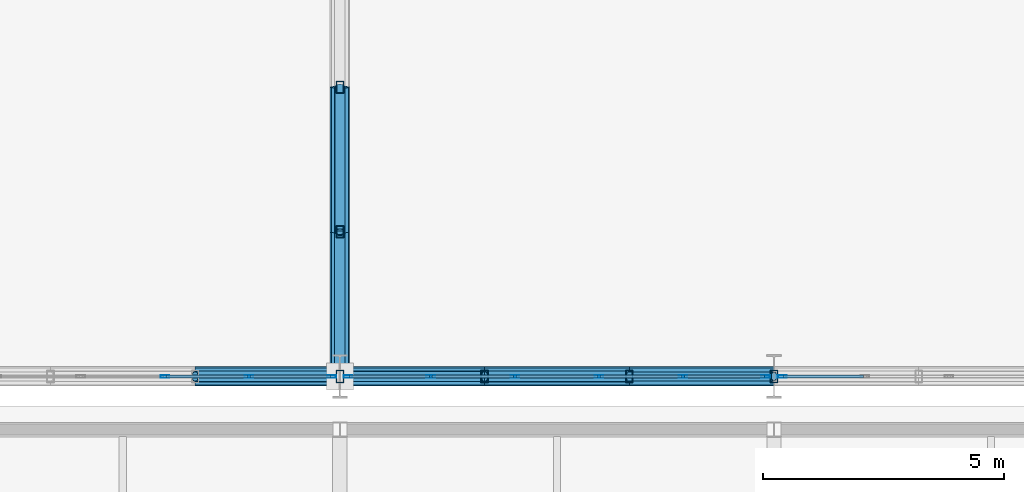
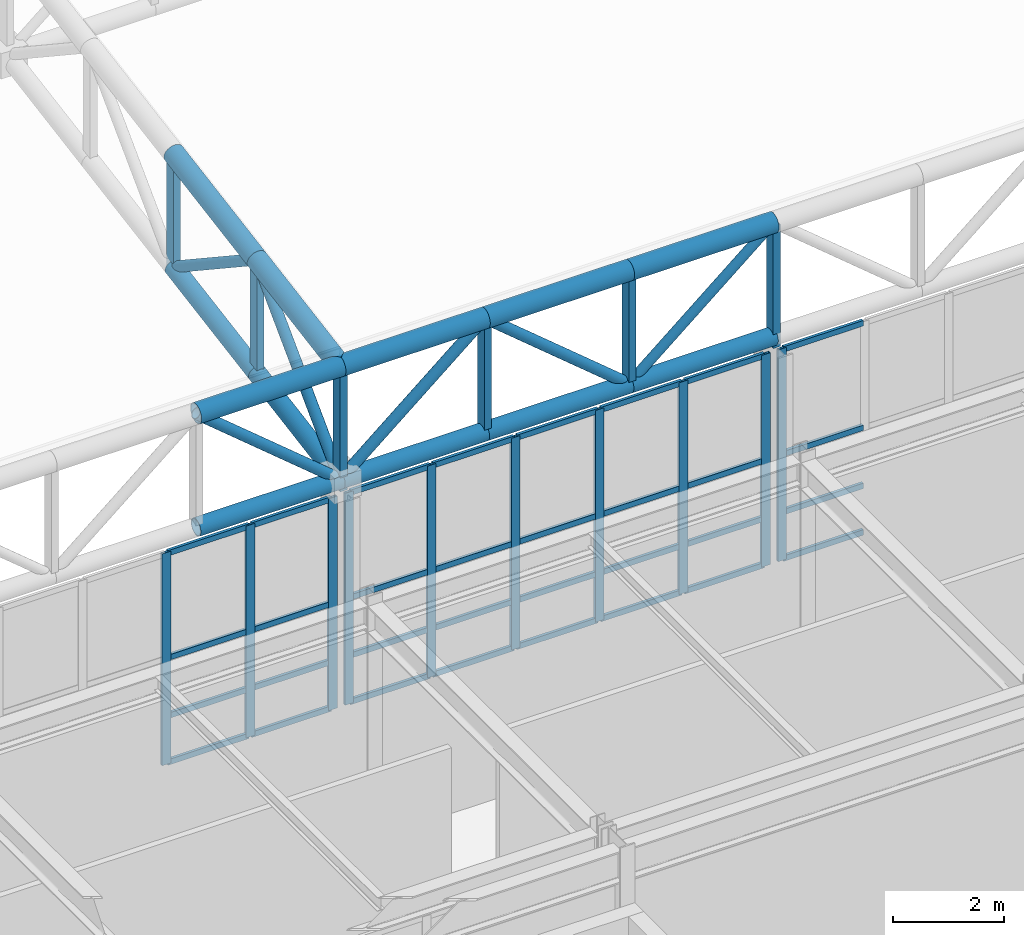
# One storey, part 42 of 239: 66 members, 3 elements without a shape of their own.
"""IFC4 building model written with IfcOpenShell, lengths in metres."""

from ifc_helpers import new_model, si_unit, direction, frame, origin, origin_2d, place, context, subcontext, project, spatial, hollow_rectangle, hollow_circle, extrude, material, material_profile, profile_set, type_object, element, aggregate, save


model = new_model("IFC4")

# Units and contexts
model_context = context("Model", 3, precision=1e-05, world=origin(), true_north=direction((0.0, 1.0)))
body_context = subcontext(model_context, "Body", "Model", "MODEL_VIEW")
ifc_project = project(units=[si_unit("LENGTHUNIT", "METRE"), si_unit("AREAUNIT", "SQUARE_METRE"), si_unit("VOLUMEUNIT", "CUBIC_METRE"), si_unit("PLANEANGLEUNIT", "RADIAN"), si_unit("MASSUNIT", "GRAM", prefix="KILO")], contexts=[model_context])

# Site, building, storey
site_placement = place(None, origin())
site = spatial("IfcSite", under=ifc_project, at=site_placement, CompositionType="ELEMENT")
building_placement = place(site_placement, origin())
building = spatial("IfcBuilding", under=site, at=building_placement, Name="Kaldris Quays Convention Centre", CompositionType="ELEMENT")
storey_placement = place(building_placement, frame((0.0, 0.0, 11.39990234375)))
storey = spatial("IfcBuildingStorey", under=building, at=storey_placement, Name="L02", CompositionType="ELEMENT", Elevation=11.39990234375)

# Curtain wall, members
ifc_material_1 = material(Name="Anodized aluminium AW-6060 and triple glazing", Category="aluminium")
curtain_wall_type = type_object("IfcCurtainWallType", Name="UNITISED CURTAIN WALL CW03", PredefinedType="NOTDEFINED", material=ifc_material_1)
curtain_wall_1_placement = place(storey_placement, origin())
curtain_wall_1 = element("IfcCurtainWall", 1, at=curtain_wall_1_placement, inside=storey, type_object=curtain_wall_type, Name="L02 Unitised Curtain Wall CW03 233", PredefinedType="NOTDEFINED")
ifc_material_2 = material(Name="Anodized aluminium AW-6060", Category="aluminium")
ifc_material_profile_1 = material_profile(ifc_material_2, hollow_rectangle(XDim=0.06005859375, YDim=0.179931640625, WallThickness=0.0048828125, at=origin_2d()), Name="RHS 180x60x5")
ifc_profile_set_1 = profile_set([ifc_material_profile_1], Name="Anodized aluminium AW-6060")
member_type_1 = type_object("IfcMemberType", Name="CURTAIN MULLION CWM2", PredefinedType="MULLION", material=ifc_profile_set_1)
member_1_placement = place(storey_placement, frame((52.3720703125, 56.0, 2.195068359375), z_axis=(0.0, 0.0, 1.0), x_axis=(0.0, 1.0, 0.0)))
member_1 = element("IfcMember", 2, at=member_1_placement, type_object=member_type_1, Name="CW03 mullion 4", PredefinedType="MULLION", context=body_context, shape_type="SweptSolid", body=[
    extrude(hollow_rectangle(XDim=0.06005859375, YDim=0.179931640625, WallThickness=0.0048828125, at=origin_2d()), origin(), (0.0, 0.0, 1.0), 4.655029296875),
])
member_2_placement = place(storey_placement, frame((54.115966796875, 56.0, 2.195068359375), z_axis=(0.0, 0.0, 1.0), x_axis=(0.0, 1.0, 0.0)))
member_2 = element("IfcMember", 3, at=member_2_placement, type_object=member_type_1, Name="CW03 mullion 5", PredefinedType="MULLION", context=body_context, shape_type="SweptSolid", body=[
    extrude(hollow_rectangle(XDim=0.06005859375, YDim=0.179931640625, WallThickness=0.0048828125, at=origin_2d()), origin(), (0.0, 0.0, 1.0), 4.655029296875),
])
member_3_placement = place(storey_placement, frame((55.830078125, 56.0, 2.195068359375), z_axis=(0.0, 0.0, 1.0), x_axis=(0.0, 1.0, 0.0)))
member_3 = element("IfcMember", 4, at=member_3_placement, type_object=member_type_1, Name="CW03 mullion 6", PredefinedType="MULLION", context=body_context, shape_type="SweptSolid", body=[
    extrude(hollow_rectangle(XDim=0.06005859375, YDim=0.179931640625, WallThickness=0.0048828125, at=origin_2d()), origin(), (0.0, 0.0, 1.0), 4.655029296875),
])

curtain_wall_2_placement = place(storey_placement, origin())
curtain_wall_2 = element("IfcCurtainWall", 5, at=curtain_wall_2_placement, inside=storey, type_object=curtain_wall_type, Name="L02 Unitised Curtain Wall CW03 235", PredefinedType="NOTDEFINED")
member_4_placement = place(storey_placement, frame((56.169921875, 56.0, 2.195068359375), z_axis=(0.0, 0.0, 1.0), x_axis=(0.0, 1.0, 0.0)))
member_4 = element("IfcMember", 6, at=member_4_placement, type_object=member_type_1, Name="CW03 mullion 1", PredefinedType="MULLION", context=body_context, shape_type="SweptSolid", body=[
    extrude(hollow_rectangle(XDim=0.06005859375, YDim=0.179931640625, WallThickness=0.0048828125, at=origin_2d()), origin(), (0.0, 0.0, 1.0), 4.655029296875),
])
member_5_placement = place(storey_placement, frame((57.884033203125, 56.0, 2.195068359375), z_axis=(0.0, 0.0, 1.0), x_axis=(0.0, 1.0, 0.0)))
member_5 = element("IfcMember", 7, at=member_5_placement, type_object=member_type_1, Name="CW03 mullion 2", PredefinedType="MULLION", context=body_context, shape_type="SweptSolid", body=[
    extrude(hollow_rectangle(XDim=0.06005859375, YDim=0.179931640625, WallThickness=0.0048828125, at=origin_2d()), origin(), (0.0, 0.0, 1.0), 4.655029296875),
])
member_6_placement = place(storey_placement, frame((59.6279296875, 56.0, 2.195068359375), z_axis=(0.0, 0.0, 1.0), x_axis=(0.0, 1.0, 0.0)))
member_6 = element("IfcMember", 8, at=member_6_placement, type_object=member_type_1, Name="CW03 mullion 3", PredefinedType="MULLION", context=body_context, shape_type="SweptSolid", body=[
    extrude(hollow_rectangle(XDim=0.06005859375, YDim=0.179931640625, WallThickness=0.0048828125, at=origin_2d()), origin(), (0.0, 0.0, 1.0), 4.655029296875),
])
member_7_placement = place(storey_placement, frame((61.3720703125, 56.0, 2.195068359375), z_axis=(0.0, 0.0, 1.0), x_axis=(0.0, 1.0, 0.0)))
member_7 = element("IfcMember", 9, at=member_7_placement, type_object=member_type_1, Name="CW03 mullion 4", PredefinedType="MULLION", context=body_context, shape_type="SweptSolid", body=[
    extrude(hollow_rectangle(XDim=0.06005859375, YDim=0.179931640625, WallThickness=0.0048828125, at=origin_2d()), origin(), (0.0, 0.0, 1.0), 4.655029296875),
])
member_8_placement = place(storey_placement, frame((63.115966796875, 56.0, 2.195068359375), z_axis=(0.0, 0.0, 1.0), x_axis=(0.0, 1.0, 0.0)))
member_8 = element("IfcMember", 10, at=member_8_placement, type_object=member_type_1, Name="CW03 mullion 5", PredefinedType="MULLION", context=body_context, shape_type="SweptSolid", body=[
    extrude(hollow_rectangle(XDim=0.06005859375, YDim=0.179931640625, WallThickness=0.0048828125, at=origin_2d()), origin(), (0.0, 0.0, 1.0), 4.655029296875),
])
member_9_placement = place(storey_placement, frame((64.830078125, 56.0, 2.195068359375), z_axis=(0.0, 0.0, 1.0), x_axis=(0.0, 1.0, 0.0)))
member_9 = element("IfcMember", 11, at=member_9_placement, type_object=member_type_1, Name="CW03 mullion 6", PredefinedType="MULLION", context=body_context, shape_type="SweptSolid", body=[
    extrude(hollow_rectangle(XDim=0.06005859375, YDim=0.179931640625, WallThickness=0.0048828125, at=origin_2d()), origin(), (0.0, 0.0, 1.0), 4.655029296875),
])

# Curtain wall, member
curtain_wall_3_placement = place(storey_placement, origin())
curtain_wall_3 = element("IfcCurtainWall", 12, at=curtain_wall_3_placement, inside=storey, type_object=curtain_wall_type, Name="L02 Unitised Curtain Wall CW03 237", PredefinedType="NOTDEFINED")
member_10_placement = place(storey_placement, frame((65.169921875, 56.0, 2.195068359375), z_axis=(0.0, 0.0, 1.0), x_axis=(0.0, 1.0, 0.0)))
member_10 = element("IfcMember", 13, at=member_10_placement, type_object=member_type_1, Name="CW03 mullion 1", PredefinedType="MULLION", context=body_context, shape_type="SweptSolid", body=[
    extrude(hollow_rectangle(XDim=0.06005859375, YDim=0.179931640625, WallThickness=0.0048828125, at=origin_2d()), origin(), (0.0, 0.0, 1.0), 4.655029296875),
])

# Member
ifc_material_profile_2 = material_profile(ifc_material_2, hollow_rectangle(XDim=0.06005859375, YDim=0.1201171875, WallThickness=0.00390625, at=origin_2d()), Name="RHS 120x60x4")
ifc_profile_set_2 = profile_set([ifc_material_profile_2], Name="Anodized aluminium AW-6060")
member_type_2 = type_object("IfcMemberType", Name="CURTAIN TRANSOM CWT1", PredefinedType="USERDEFINED", material=ifc_profile_set_2)
member_11_placement = place(storey_placement, frame((52.402099609375, 56.0, 2.22509765625), z_axis=(1.0, 0.0, 0.0), x_axis=(0.0, 1.0, 0.0)))
member_11 = element("IfcMember", 14, at=member_11_placement, type_object=member_type_2, Name="CW03 transom 4.1", ObjectType="TRANSOM", PredefinedType="USERDEFINED", context=body_context, shape_type="SweptSolid", body=[
    extrude(hollow_rectangle(XDim=0.06005859375, YDim=0.1201171875, WallThickness=0.00390625, at=origin_2d()), origin(), (0.0, 0.0, 1.0), 1.683837890625),
])

member_12_placement = place(storey_placement, frame((52.402099609375, 56.0, 3.2451171875), z_axis=(1.0, 0.0, 0.0), x_axis=(0.0, 1.0, 0.0)))
member_12 = element("IfcMember", 15, at=member_12_placement, type_object=member_type_2, Name="CW03 transom 4.2", ObjectType="TRANSOM", PredefinedType="USERDEFINED", context=body_context, shape_type="SweptSolid", body=[
    extrude(hollow_rectangle(XDim=0.06005859375, YDim=0.1201171875, WallThickness=0.00390625, at=origin_2d()), origin(), (0.0, 0.0, 1.0), 1.683837890625),
])

member_13_placement = place(storey_placement, frame((52.402099609375, 56.0, 4.522216796875), z_axis=(1.0, 0.0, 0.0), x_axis=(0.0, 1.0, 0.0)))
member_13 = element("IfcMember", 16, at=member_13_placement, type_object=member_type_2, Name="CW03 transom 4.3", ObjectType="TRANSOM", PredefinedType="USERDEFINED", context=body_context, shape_type="SweptSolid", body=[
    extrude(hollow_rectangle(XDim=0.06005859375, YDim=0.1201171875, WallThickness=0.00390625, at=origin_2d()), origin(), (0.0, 0.0, 1.0), 1.683837890625),
])

member_14_placement = place(storey_placement, frame((52.402099609375, 56.0, 6.820068359375), z_axis=(1.0, 0.0, 0.0), x_axis=(0.0, 1.0, 0.0)))
member_14 = element("IfcMember", 17, at=member_14_placement, type_object=member_type_2, Name="CW03 transom 4.4", ObjectType="TRANSOM", PredefinedType="USERDEFINED", context=body_context, shape_type="SweptSolid", body=[
    extrude(hollow_rectangle(XDim=0.06005859375, YDim=0.1201171875, WallThickness=0.00390625, at=origin_2d()), origin(), (0.0, 0.0, 1.0), 1.683837890625),
])

member_15_placement = place(storey_placement, frame((54.14599609375, 56.0, 2.22509765625), z_axis=(1.0, 0.0, 0.0), x_axis=(0.0, 1.0, 0.0)))
member_15 = element("IfcMember", 18, at=member_15_placement, type_object=member_type_2, Name="CW03 transom 5.1", ObjectType="TRANSOM", PredefinedType="USERDEFINED", context=body_context, shape_type="SweptSolid", body=[
    extrude(hollow_rectangle(XDim=0.06005859375, YDim=0.1201171875, WallThickness=0.00390625, at=origin_2d()), origin(), (0.0, 0.0, 1.0), 1.654052734375),
])

member_16_placement = place(storey_placement, frame((54.14599609375, 56.0, 3.2451171875), z_axis=(1.0, 0.0, 0.0), x_axis=(0.0, 1.0, 0.0)))
member_16 = element("IfcMember", 19, at=member_16_placement, type_object=member_type_2, Name="CW03 transom 5.2", ObjectType="TRANSOM", PredefinedType="USERDEFINED", context=body_context, shape_type="SweptSolid", body=[
    extrude(hollow_rectangle(XDim=0.06005859375, YDim=0.1201171875, WallThickness=0.00390625, at=origin_2d()), origin(), (0.0, 0.0, 1.0), 1.654052734375),
])

member_17_placement = place(storey_placement, frame((54.14599609375, 56.0, 4.522216796875), z_axis=(1.0, 0.0, 0.0), x_axis=(0.0, 1.0, 0.0)))
member_17 = element("IfcMember", 20, at=member_17_placement, type_object=member_type_2, Name="CW03 transom 5.3", ObjectType="TRANSOM", PredefinedType="USERDEFINED", context=body_context, shape_type="SweptSolid", body=[
    extrude(hollow_rectangle(XDim=0.06005859375, YDim=0.1201171875, WallThickness=0.00390625, at=origin_2d()), origin(), (0.0, 0.0, 1.0), 1.654052734375),
])

member_18_placement = place(storey_placement, frame((54.14599609375, 56.0, 6.820068359375), z_axis=(1.0, 0.0, 0.0), x_axis=(0.0, 1.0, 0.0)))
member_18 = element("IfcMember", 21, at=member_18_placement, type_object=member_type_2, Name="CW03 transom 5.4", ObjectType="TRANSOM", PredefinedType="USERDEFINED", context=body_context, shape_type="SweptSolid", body=[
    extrude(hollow_rectangle(XDim=0.06005859375, YDim=0.1201171875, WallThickness=0.00390625, at=origin_2d()), origin(), (0.0, 0.0, 1.0), 1.654052734375),
])

aggregate(curtain_wall_1, [member_1, member_2, member_3, member_11, member_12, member_13, member_14, member_15, member_16, member_17, member_18])

member_19_placement = place(storey_placement, frame((56.199951171875, 56.0, 2.22509765625), z_axis=(1.0, 0.0, 0.0), x_axis=(0.0, 1.0, 0.0)))
member_19 = element("IfcMember", 22, at=member_19_placement, type_object=member_type_2, Name="CW03 transom 1.1", ObjectType="TRANSOM", PredefinedType="USERDEFINED", context=body_context, shape_type="SweptSolid", body=[
    extrude(hollow_rectangle(XDim=0.06005859375, YDim=0.1201171875, WallThickness=0.00390625, at=origin_2d()), origin(), (0.0, 0.0, 1.0), 1.654052734375),
])

member_20_placement = place(storey_placement, frame((56.199951171875, 56.0, 3.2451171875), z_axis=(1.0, 0.0, 0.0), x_axis=(0.0, 1.0, 0.0)))
member_20 = element("IfcMember", 23, at=member_20_placement, type_object=member_type_2, Name="CW03 transom 1.2", ObjectType="TRANSOM", PredefinedType="USERDEFINED", context=body_context, shape_type="SweptSolid", body=[
    extrude(hollow_rectangle(XDim=0.06005859375, YDim=0.1201171875, WallThickness=0.00390625, at=origin_2d()), origin(), (0.0, 0.0, 1.0), 1.654052734375),
])

member_21_placement = place(storey_placement, frame((56.199951171875, 56.0, 4.522216796875), z_axis=(1.0, 0.0, 0.0), x_axis=(0.0, 1.0, 0.0)))
member_21 = element("IfcMember", 24, at=member_21_placement, type_object=member_type_2, Name="CW03 transom 1.3", ObjectType="TRANSOM", PredefinedType="USERDEFINED", context=body_context, shape_type="SweptSolid", body=[
    extrude(hollow_rectangle(XDim=0.06005859375, YDim=0.1201171875, WallThickness=0.00390625, at=origin_2d()), origin(), (0.0, 0.0, 1.0), 1.654052734375),
])

member_22_placement = place(storey_placement, frame((56.199951171875, 56.0, 6.820068359375), z_axis=(1.0, 0.0, 0.0), x_axis=(0.0, 1.0, 0.0)))
member_22 = element("IfcMember", 25, at=member_22_placement, type_object=member_type_2, Name="CW03 transom 1.4", ObjectType="TRANSOM", PredefinedType="USERDEFINED", context=body_context, shape_type="SweptSolid", body=[
    extrude(hollow_rectangle(XDim=0.06005859375, YDim=0.1201171875, WallThickness=0.00390625, at=origin_2d()), origin(), (0.0, 0.0, 1.0), 1.654052734375),
])

member_23_placement = place(storey_placement, frame((57.9140625, 56.0, 2.22509765625), z_axis=(1.0, 0.0, 0.0), x_axis=(0.0, 1.0, 0.0)))
member_23 = element("IfcMember", 26, at=member_23_placement, type_object=member_type_2, Name="CW03 transom 2.1", ObjectType="TRANSOM", PredefinedType="USERDEFINED", context=body_context, shape_type="SweptSolid", body=[
    extrude(hollow_rectangle(XDim=0.06005859375, YDim=0.1201171875, WallThickness=0.00390625, at=origin_2d()), origin(), (0.0, 0.0, 1.0), 1.683837890625),
])

member_24_placement = place(storey_placement, frame((57.9140625, 56.0, 3.2451171875), z_axis=(1.0, 0.0, 0.0), x_axis=(0.0, 1.0, 0.0)))
member_24 = element("IfcMember", 27, at=member_24_placement, type_object=member_type_2, Name="CW03 transom 2.2", ObjectType="TRANSOM", PredefinedType="USERDEFINED", context=body_context, shape_type="SweptSolid", body=[
    extrude(hollow_rectangle(XDim=0.06005859375, YDim=0.1201171875, WallThickness=0.00390625, at=origin_2d()), origin(), (0.0, 0.0, 1.0), 1.683837890625),
])

member_25_placement = place(storey_placement, frame((57.9140625, 56.0, 4.522216796875), z_axis=(1.0, 0.0, 0.0), x_axis=(0.0, 1.0, 0.0)))
member_25 = element("IfcMember", 28, at=member_25_placement, type_object=member_type_2, Name="CW03 transom 2.3", ObjectType="TRANSOM", PredefinedType="USERDEFINED", context=body_context, shape_type="SweptSolid", body=[
    extrude(hollow_rectangle(XDim=0.06005859375, YDim=0.1201171875, WallThickness=0.00390625, at=origin_2d()), origin(), (0.0, 0.0, 1.0), 1.683837890625),
])

member_26_placement = place(storey_placement, frame((57.9140625, 56.0, 6.820068359375), z_axis=(1.0, 0.0, 0.0), x_axis=(0.0, 1.0, 0.0)))
member_26 = element("IfcMember", 29, at=member_26_placement, type_object=member_type_2, Name="CW03 transom 2.4", ObjectType="TRANSOM", PredefinedType="USERDEFINED", context=body_context, shape_type="SweptSolid", body=[
    extrude(hollow_rectangle(XDim=0.06005859375, YDim=0.1201171875, WallThickness=0.00390625, at=origin_2d()), origin(), (0.0, 0.0, 1.0), 1.683837890625),
])

member_27_placement = place(storey_placement, frame((59.657958984375, 56.0, 2.22509765625), z_axis=(1.0, 0.0, 0.0), x_axis=(0.0, 1.0, 0.0)))
member_27 = element("IfcMember", 30, at=member_27_placement, type_object=member_type_2, Name="CW03 transom 3.1", ObjectType="TRANSOM", PredefinedType="USERDEFINED", context=body_context, shape_type="SweptSolid", body=[
    extrude(hollow_rectangle(XDim=0.06005859375, YDim=0.1201171875, WallThickness=0.00390625, at=origin_2d()), origin(), (0.0, 0.0, 1.0), 1.68408203125),
])

member_28_placement = place(storey_placement, frame((59.657958984375, 56.0, 3.2451171875), z_axis=(1.0, 0.0, 0.0), x_axis=(0.0, 1.0, 0.0)))
member_28 = element("IfcMember", 31, at=member_28_placement, type_object=member_type_2, Name="CW03 transom 3.2", ObjectType="TRANSOM", PredefinedType="USERDEFINED", context=body_context, shape_type="SweptSolid", body=[
    extrude(hollow_rectangle(XDim=0.06005859375, YDim=0.1201171875, WallThickness=0.00390625, at=origin_2d()), origin(), (0.0, 0.0, 1.0), 1.68408203125),
])

member_29_placement = place(storey_placement, frame((59.657958984375, 56.0, 4.522216796875), z_axis=(1.0, 0.0, 0.0), x_axis=(0.0, 1.0, 0.0)))
member_29 = element("IfcMember", 32, at=member_29_placement, type_object=member_type_2, Name="CW03 transom 3.3", ObjectType="TRANSOM", PredefinedType="USERDEFINED", context=body_context, shape_type="SweptSolid", body=[
    extrude(hollow_rectangle(XDim=0.06005859375, YDim=0.1201171875, WallThickness=0.00390625, at=origin_2d()), origin(), (0.0, 0.0, 1.0), 1.68408203125),
])

member_30_placement = place(storey_placement, frame((59.657958984375, 56.0, 6.820068359375), z_axis=(1.0, 0.0, 0.0), x_axis=(0.0, 1.0, 0.0)))
member_30 = element("IfcMember", 33, at=member_30_placement, type_object=member_type_2, Name="CW03 transom 3.4", ObjectType="TRANSOM", PredefinedType="USERDEFINED", context=body_context, shape_type="SweptSolid", body=[
    extrude(hollow_rectangle(XDim=0.06005859375, YDim=0.1201171875, WallThickness=0.00390625, at=origin_2d()), origin(), (0.0, 0.0, 1.0), 1.68408203125),
])

member_31_placement = place(storey_placement, frame((61.402099609375, 56.0, 2.22509765625), z_axis=(1.0, 0.0, 0.0), x_axis=(0.0, 1.0, 0.0)))
member_31 = element("IfcMember", 34, at=member_31_placement, type_object=member_type_2, Name="CW03 transom 4.1", ObjectType="TRANSOM", PredefinedType="USERDEFINED", context=body_context, shape_type="SweptSolid", body=[
    extrude(hollow_rectangle(XDim=0.06005859375, YDim=0.1201171875, WallThickness=0.00390625, at=origin_2d()), origin(), (0.0, 0.0, 1.0), 1.683837890625),
])

member_32_placement = place(storey_placement, frame((61.402099609375, 56.0, 3.2451171875), z_axis=(1.0, 0.0, 0.0), x_axis=(0.0, 1.0, 0.0)))
member_32 = element("IfcMember", 35, at=member_32_placement, type_object=member_type_2, Name="CW03 transom 4.2", ObjectType="TRANSOM", PredefinedType="USERDEFINED", context=body_context, shape_type="SweptSolid", body=[
    extrude(hollow_rectangle(XDim=0.06005859375, YDim=0.1201171875, WallThickness=0.00390625, at=origin_2d()), origin(), (0.0, 0.0, 1.0), 1.683837890625),
])

member_33_placement = place(storey_placement, frame((61.402099609375, 56.0, 4.522216796875), z_axis=(1.0, 0.0, 0.0), x_axis=(0.0, 1.0, 0.0)))
member_33 = element("IfcMember", 36, at=member_33_placement, type_object=member_type_2, Name="CW03 transom 4.3", ObjectType="TRANSOM", PredefinedType="USERDEFINED", context=body_context, shape_type="SweptSolid", body=[
    extrude(hollow_rectangle(XDim=0.06005859375, YDim=0.1201171875, WallThickness=0.00390625, at=origin_2d()), origin(), (0.0, 0.0, 1.0), 1.683837890625),
])

member_34_placement = place(storey_placement, frame((61.402099609375, 56.0, 6.820068359375), z_axis=(1.0, 0.0, 0.0), x_axis=(0.0, 1.0, 0.0)))
member_34 = element("IfcMember", 37, at=member_34_placement, type_object=member_type_2, Name="CW03 transom 4.4", ObjectType="TRANSOM", PredefinedType="USERDEFINED", context=body_context, shape_type="SweptSolid", body=[
    extrude(hollow_rectangle(XDim=0.06005859375, YDim=0.1201171875, WallThickness=0.00390625, at=origin_2d()), origin(), (0.0, 0.0, 1.0), 1.683837890625),
])

member_35_placement = place(storey_placement, frame((63.14599609375, 56.0, 2.22509765625), z_axis=(1.0, 0.0, 0.0), x_axis=(0.0, 1.0, 0.0)))
member_35 = element("IfcMember", 38, at=member_35_placement, type_object=member_type_2, Name="CW03 transom 5.1", ObjectType="TRANSOM", PredefinedType="USERDEFINED", context=body_context, shape_type="SweptSolid", body=[
    extrude(hollow_rectangle(XDim=0.06005859375, YDim=0.1201171875, WallThickness=0.00390625, at=origin_2d()), origin(), (0.0, 0.0, 1.0), 1.654052734375),
])

member_36_placement = place(storey_placement, frame((63.14599609375, 56.0, 3.2451171875), z_axis=(1.0, 0.0, 0.0), x_axis=(0.0, 1.0, 0.0)))
member_36 = element("IfcMember", 39, at=member_36_placement, type_object=member_type_2, Name="CW03 transom 5.2", ObjectType="TRANSOM", PredefinedType="USERDEFINED", context=body_context, shape_type="SweptSolid", body=[
    extrude(hollow_rectangle(XDim=0.06005859375, YDim=0.1201171875, WallThickness=0.00390625, at=origin_2d()), origin(), (0.0, 0.0, 1.0), 1.654052734375),
])

member_37_placement = place(storey_placement, frame((63.14599609375, 56.0, 4.522216796875), z_axis=(1.0, 0.0, 0.0), x_axis=(0.0, 1.0, 0.0)))
member_37 = element("IfcMember", 40, at=member_37_placement, type_object=member_type_2, Name="CW03 transom 5.3", ObjectType="TRANSOM", PredefinedType="USERDEFINED", context=body_context, shape_type="SweptSolid", body=[
    extrude(hollow_rectangle(XDim=0.06005859375, YDim=0.1201171875, WallThickness=0.00390625, at=origin_2d()), origin(), (0.0, 0.0, 1.0), 1.654052734375),
])

member_38_placement = place(storey_placement, frame((63.14599609375, 56.0, 6.820068359375), z_axis=(1.0, 0.0, 0.0), x_axis=(0.0, 1.0, 0.0)))
member_38 = element("IfcMember", 41, at=member_38_placement, type_object=member_type_2, Name="CW03 transom 5.4", ObjectType="TRANSOM", PredefinedType="USERDEFINED", context=body_context, shape_type="SweptSolid", body=[
    extrude(hollow_rectangle(XDim=0.06005859375, YDim=0.1201171875, WallThickness=0.00390625, at=origin_2d()), origin(), (0.0, 0.0, 1.0), 1.654052734375),
])

aggregate(curtain_wall_2, [member_4, member_5, member_6, member_7, member_8, member_9, member_19, member_20, member_21, member_22, member_23, member_24, member_25, member_26, member_27, member_28, member_29, member_30, member_31, member_32, member_33, member_34, member_35, member_36, member_37, member_38])

member_39_placement = place(storey_placement, frame((65.199951171875, 56.0, 2.22509765625), z_axis=(1.0, 0.0, 0.0), x_axis=(0.0, 1.0, 0.0)))
member_39 = element("IfcMember", 42, at=member_39_placement, type_object=member_type_2, Name="CW03 transom 1.1", ObjectType="TRANSOM", PredefinedType="USERDEFINED", context=body_context, shape_type="SweptSolid", body=[
    extrude(hollow_rectangle(XDim=0.06005859375, YDim=0.1201171875, WallThickness=0.00390625, at=origin_2d()), origin(), (0.0, 0.0, 1.0), 1.654052734375),
])

member_40_placement = place(storey_placement, frame((65.199951171875, 56.0, 3.2451171875), z_axis=(1.0, 0.0, 0.0), x_axis=(0.0, 1.0, 0.0)))
member_40 = element("IfcMember", 43, at=member_40_placement, type_object=member_type_2, Name="CW03 transom 1.2", ObjectType="TRANSOM", PredefinedType="USERDEFINED", context=body_context, shape_type="SweptSolid", body=[
    extrude(hollow_rectangle(XDim=0.06005859375, YDim=0.1201171875, WallThickness=0.00390625, at=origin_2d()), origin(), (0.0, 0.0, 1.0), 1.654052734375),
])

member_41_placement = place(storey_placement, frame((65.199951171875, 56.0, 4.522216796875), z_axis=(1.0, 0.0, 0.0), x_axis=(0.0, 1.0, 0.0)))
member_41 = element("IfcMember", 44, at=member_41_placement, type_object=member_type_2, Name="CW03 transom 1.3", ObjectType="TRANSOM", PredefinedType="USERDEFINED", context=body_context, shape_type="SweptSolid", body=[
    extrude(hollow_rectangle(XDim=0.06005859375, YDim=0.1201171875, WallThickness=0.00390625, at=origin_2d()), origin(), (0.0, 0.0, 1.0), 1.654052734375),
])

member_42_placement = place(storey_placement, frame((65.199951171875, 56.0, 6.820068359375), z_axis=(1.0, 0.0, 0.0), x_axis=(0.0, 1.0, 0.0)))
member_42 = element("IfcMember", 45, at=member_42_placement, type_object=member_type_2, Name="CW03 transom 1.4", ObjectType="TRANSOM", PredefinedType="USERDEFINED", context=body_context, shape_type="SweptSolid", body=[
    extrude(hollow_rectangle(XDim=0.06005859375, YDim=0.1201171875, WallThickness=0.00390625, at=origin_2d()), origin(), (0.0, 0.0, 1.0), 1.654052734375),
])

aggregate(curtain_wall_3, [member_10, member_39, member_40, member_41, member_42])

# Members
ifc_material_3 = material(Name="Steel S355J2H", Category="steel")
ifc_material_profile_3 = material_profile(ifc_material_3, hollow_circle(Radius=0.203125, WallThickness=0.01611328125, at=origin_2d()), Name="CHS 406.4x16")
ifc_profile_set_3 = profile_set([ifc_material_profile_3], Name="Steel S355J2H")
member_type_3 = type_object("IfcMemberType", Name="STRUCTURAL MEMBER SC01", PredefinedType="CHORD", material=ifc_profile_set_3)
for number, where, z_axis, x_axis, name in (
    (46, (53.0, 56.0, 9.671875), (1.0, 0.0, 0.0), (0.0, 1.0, 0.0), "SF-V1 Top Chord X 12"),
    (47, (56.0, 56.0, 9.671875), (1.0, 0.0, 0.0), (0.0, 1.0, 0.0), "SF-V1 Top Chord X 13"),
    (48, (59.0, 56.0, 9.671875), (1.0, 0.0, 0.0), (0.0, 1.0, 0.0), "SF-V1 Top Chord X 14"),
    (49, (62.0, 56.0, 9.671875), (1.0, 0.0, 0.0), (0.0, 1.0, 0.0), "SF-V1 Top Chord X 15"),
):
    element("IfcMember", number, at=place(storey_placement, frame(where, z_axis=z_axis, x_axis=x_axis)), inside=storey, type_object=member_type_3, Name=name, PredefinedType="CHORD", context=body_context, shape_type="SweptSolid", body=[
        extrude(hollow_circle(Radius=0.203125, WallThickness=0.01611328125, at=origin_2d()), origin(), (0.0, 0.0, 1.0), 3.0),
    ])
for number, where, z_axis, x_axis, name in (
    (50, (56.0, 56.0, 9.671875), (0.0, 0.985615766076, 0.169001661712), (-1.0, 0.0, 0.0), "SF-V1 Top Chord Y 393"),
    (51, (56.0, 59.0, 10.186279296875), (0.0, 0.98562912375, 0.168923741424), (-1.0, 0.0, 0.0), "SF-V1 Top Chord Y 394"),
):
    element("IfcMember", number, at=place(storey_placement, frame(where, z_axis=z_axis, x_axis=x_axis)), inside=storey, type_object=member_type_3, Name=name, PredefinedType="CHORD", context=body_context, shape_type="SweptSolid", body=[
        extrude(hollow_circle(Radius=0.203125, WallThickness=0.01611328125, at=origin_2d()), origin(), (0.0, 0.0, 1.0), 3.043701171875),
    ])
ifc_material_profile_4 = material_profile(ifc_material_3, hollow_circle(Radius=0.177734375, WallThickness=0.01611328125, at=origin_2d()), Name="CHS 355.6x16")
ifc_profile_set_4 = profile_set([ifc_material_profile_4], Name="Steel S355J2H")
member_type_4 = type_object("IfcMemberType", Name="STRUCTURAL MEMBER SC02", PredefinedType="CHORD", material=ifc_profile_set_4)
for number, where, z_axis, x_axis, name in (
    (52, (53.0, 56.0, 7.171875), (1.0, 0.0, 0.0), (0.0, 1.0, 0.0), "SF-V1 Bottom Chord X 12"),
    (53, (56.0, 56.0, 7.171875), (1.0, 0.0, 0.0), (0.0, 1.0, 0.0), "SF-V1 Bottom Chord X 13"),
    (54, (59.0, 56.0, 7.171875), (1.0, 0.0, 0.0), (0.0, 1.0, 0.0), "SF-V1 Bottom Chord X 14"),
    (55, (62.0, 56.0, 7.171875), (1.0, 0.0, 0.0), (0.0, 1.0, 0.0), "SF-V1 Bottom Chord X 15"),
):
    element("IfcMember", number, at=place(storey_placement, frame(where, z_axis=z_axis, x_axis=x_axis)), inside=storey, type_object=member_type_4, Name=name, PredefinedType="CHORD", context=body_context, shape_type="SweptSolid", body=[
        extrude(hollow_circle(Radius=0.177734375, WallThickness=0.01611328125, at=origin_2d()), origin(), (0.0, 0.0, 1.0), 3.0),
    ])
for number, where, z_axis, x_axis, name in (
    (56, (56.0, 56.0, 7.171875), (0.0, 0.985615766076, 0.169001661712), (-1.0, 0.0, 0.0), "SF-V1 Bottom Chord Y 393"),
    (57, (56.0, 59.0, 7.686279296875), (0.0, 0.98562912375, 0.168923741424), (-1.0, 0.0, 0.0), "SF-V1 Bottom Chord Y 394"),
):
    element("IfcMember", number, at=place(storey_placement, frame(where, z_axis=z_axis, x_axis=x_axis)), inside=storey, type_object=member_type_4, Name=name, PredefinedType="CHORD", context=body_context, shape_type="SweptSolid", body=[
        extrude(hollow_circle(Radius=0.177734375, WallThickness=0.01611328125, at=origin_2d()), origin(), (0.0, 0.0, 1.0), 3.043701171875),
    ])
ifc_material_profile_5 = material_profile(ifc_material_3, hollow_circle(Radius=0.109619140625, WallThickness=0.010009765625, at=origin_2d()), Name="CHS 219.1x10")
ifc_profile_set_5 = profile_set([ifc_material_profile_5], Name="Steel S355J2H")
member_type_5 = type_object("IfcMemberType", Name="STRUCTURAL MEMBER SWB1", PredefinedType="BRACE", material=ifc_profile_set_5)
for number, where, z_axis, x_axis, name in (
    (58, (56.0, 56.0, 7.171875), (-0.768221279597, 0.0, 0.640184399664), (0.0, -1.0, 0.0), "SF-V1 Web Diagonal X 12"),
    (59, (56.0, 56.0, 7.171875), (0.768221279597, 0.0, 0.640184399664), (0.0, 1.0, 0.0), "SF-V1 Web Diagonal X 13"),
    (60, (62.0, 56.0, 7.171875), (-0.768221279597, 0.0, 0.640184399664), (0.0, -1.0, 0.0), "SF-V1 Web Diagonal X 14"),
):
    element("IfcMember", number, at=place(storey_placement, frame(where, z_axis=z_axis, x_axis=x_axis)), inside=storey, type_object=member_type_5, Name=name, PredefinedType="BRACE", context=body_context, shape_type="SweptSolid", body=[
        extrude(hollow_circle(Radius=0.109619140625, WallThickness=0.010009765625, at=origin_2d()), origin(), (0.0, 0.0, 1.0), 3.905029296875),
    ])
member_43_placement = place(storey_placement, frame((56.0, 56.0, 7.171875), z_axis=(0.0, 0.705411261057, 0.708798245465), x_axis=(-1.0, 0.0, 0.0)))
element("IfcMember", 61, at=member_43_placement, inside=storey, type_object=member_type_5, Name="SF-V1 Web Diagonal Y 393", PredefinedType="BRACE", context=body_context, shape_type="SweptSolid", body=[
    extrude(hollow_circle(Radius=0.109619140625, WallThickness=0.010009765625, at=origin_2d()), origin(), (0.0, 0.0, 1.0), 4.2529296875),
])
member_44_placement = place(storey_placement, frame((56.0, 62.0, 8.200439453125), z_axis=(0.0, -0.833862389808, 0.551972385962), x_axis=(1.0, 0.0, 0.0)))
element("IfcMember", 62, at=member_44_placement, inside=storey, type_object=member_type_5, Name="SF-V1 Web Diagonal Y 394", PredefinedType="BRACE", context=body_context, shape_type="SweptSolid", body=[
    extrude(hollow_circle(Radius=0.109619140625, WallThickness=0.010009765625, at=origin_2d()), origin(), (0.0, 0.0, 1.0), 3.59765625),
])
ifc_material_profile_6 = material_profile(ifc_material_3, hollow_circle(Radius=0.096923828125, WallThickness=0.008056640625, at=origin_2d()), Name="CHS 193.7x8")
ifc_profile_set_6 = profile_set([ifc_material_profile_6], Name="Steel S355J2H")
member_type_6 = type_object("IfcMemberType", Name="STRUCTURAL MEMBER SWB3", PredefinedType="BRACE", material=ifc_profile_set_6)
member_45_placement = place(storey_placement, frame((62.0, 56.0, 7.171875), z_axis=(0.768221279597, 0.0, 0.640184399664), x_axis=(0.0, 1.0, 0.0)))
element("IfcMember", 63, at=member_45_placement, inside=storey, type_object=member_type_6, Name="SF-V1 Web Diagonal X 15", PredefinedType="BRACE", context=body_context, shape_type="SweptSolid", body=[
    extrude(hollow_circle(Radius=0.096923828125, WallThickness=0.008056640625, at=origin_2d()), origin(), (0.0, 0.0, 1.0), 3.905029296875),
])
ifc_material_profile_7 = material_profile(ifc_material_3, hollow_rectangle(XDim=0.14990234375, YDim=0.25, WallThickness=0.010009765625, at=origin_2d()), Name="RHS 250x150x10")
ifc_profile_set_7 = profile_set([ifc_material_profile_7], Name="Steel S355J2H")
member_type_7 = type_object("IfcMemberType", Name="STRUCTURAL MEMBER TTV1", PredefinedType="POST", material=ifc_profile_set_7)
member_46_placement = place(storey_placement, frame((56.0, 56.0, 6.994140625), z_axis=(0.0, 0.0, 1.0), x_axis=(1.0, 0.0, 0.0)))
element("IfcMember", 64, at=member_46_placement, inside=storey, type_object=member_type_7, Name="SF-V1 Space-Frame Post 139", PredefinedType="POST", context=body_context, shape_type="SweptSolid", body=[
    extrude(hollow_rectangle(XDim=0.14990234375, YDim=0.25, WallThickness=0.010009765625, at=origin_2d()), origin(), (0.0, 0.0, 1.0), 2.677734375),
])
for number, where, z_axis, x_axis, name in (
    (65, (56.0, 59.0, 7.686279296875), (0.0, 0.0, 1.0), (1.0, 0.0, 0.0), "SF-V1 Space-Frame Post 140"),
    (66, (56.0, 62.0, 8.200439453125), (0.0, 0.0, 1.0), (1.0, 0.0, 0.0), "SF-V1 Space-Frame Post 141"),
    (67, (59.0, 56.0, 7.171875), (0.0, 0.0, 1.0), (1.0, 0.0, 0.0), "SF-V1 Space-Frame Post 168"),
    (68, (62.0, 56.0, 7.171875), (0.0, 0.0, 1.0), (1.0, 0.0, 0.0), "SF-V1 Space-Frame Post 176"),
):
    element("IfcMember", number, at=place(storey_placement, frame(where, z_axis=z_axis, x_axis=x_axis)), inside=storey, type_object=member_type_7, Name=name, PredefinedType="POST", context=body_context, shape_type="SweptSolid", body=[
        extrude(hollow_rectangle(XDim=0.14990234375, YDim=0.25, WallThickness=0.010009765625, at=origin_2d()), origin(), (0.0, 0.0, 1.0), 2.5),
    ])
member_47_placement = place(storey_placement, frame((65.0, 56.0, 6.994140625), z_axis=(0.0, 0.0, 1.0), x_axis=(1.0, 0.0, 0.0)))
element("IfcMember", 69, at=member_47_placement, inside=storey, type_object=member_type_7, Name="SF-V1 Space-Frame Post 184", PredefinedType="POST", context=body_context, shape_type="SweptSolid", body=[
    extrude(hollow_rectangle(XDim=0.14990234375, YDim=0.25, WallThickness=0.010009765625, at=origin_2d()), origin(), (0.0, 0.0, 1.0), 2.677734375),
])

save(model, "model.ifc")
